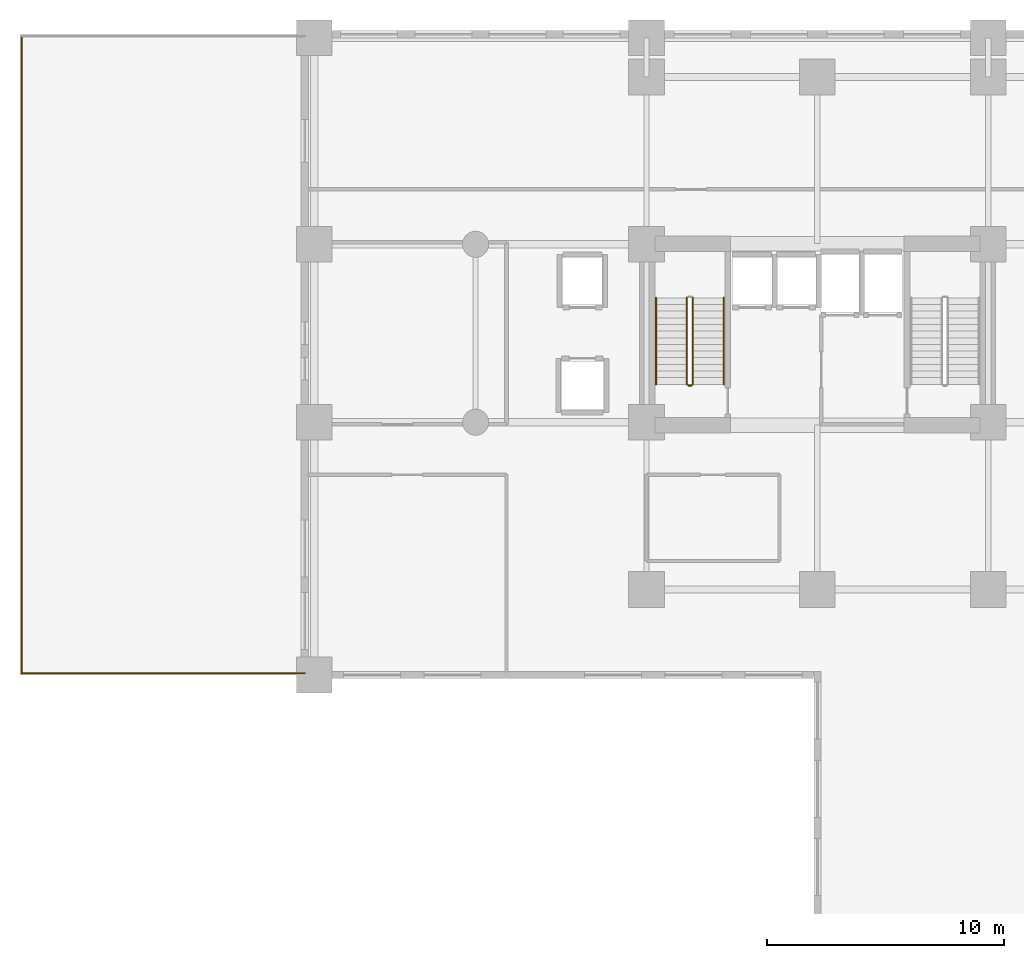
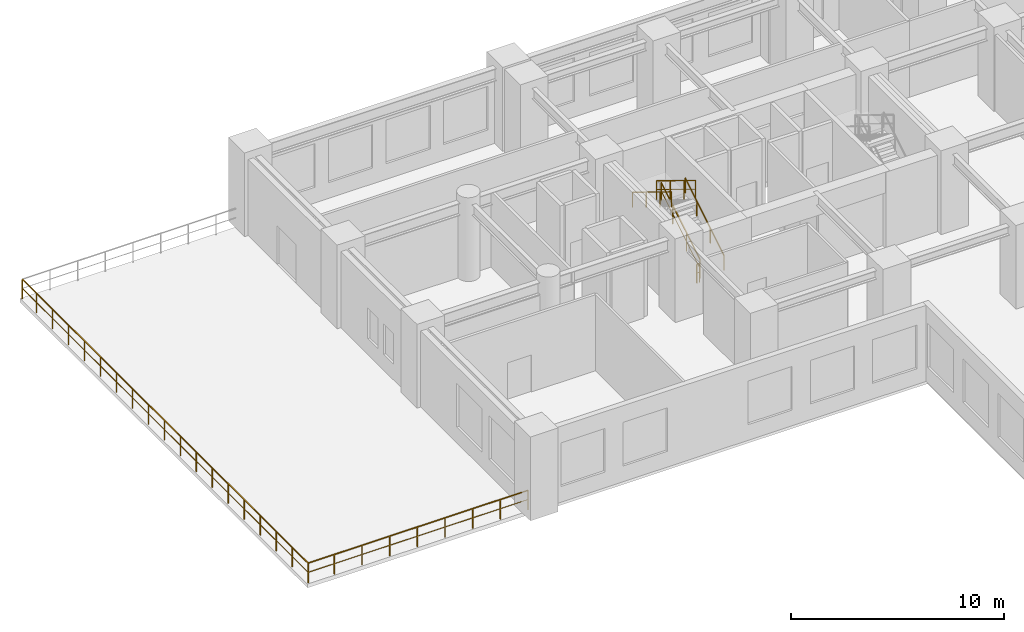
# One storey, part 7 of 10: 7 railings.
"""IFC4 building model written with IfcOpenShell, lengths in metres."""

import ifcopenshell
import ifcopenshell.guid

model = None  # the IFC model being written
_history = None  # IfcOwnerHistory: only IFC2X3 demands one
_inside = {}  # id of a spatial element -> (the spatial element, [elements in it])
_under = {}  # id of a project, library or spatial element -> (it, [spatial elements below it])
_declared = {}  # id of a project -> (the project, [libraries it declares])
_typed = {}  # id of a type object -> (the type object, [elements of that type])
_made_of = {}  # id of a material, layer set ... -> (it, [elements and type objects made of it])


def new_model(schema):
    """Start an empty IFC model of exactly this schema.

    Asked for "IFC4X3", IfcOpenShell would pick the latest addendum, in which some entities
    have other attributes; the version numbers below select the first issue.
    IFC2X3 requires an IfcOwnerHistory on every rooted entity: one is made here for all.
    """
    global model, _history
    if schema == "IFC4X3":
        model = ifcopenshell.file(schema_version=(4, 3, 0, 0))
    else:
        model = ifcopenshell.file(schema=schema)
    _inside.clear()
    _under.clear()
    _declared.clear()
    _typed.clear()
    _made_of.clear()
    _history = None
    if model.schema == "IFC2X3":
        org = make("IfcOrganization", Name="unknown")
        user = make(
            "IfcPersonAndOrganization",
            ThePerson=make("IfcPerson", FamilyName="unknown"),
            TheOrganization=org,
        )
        app = make(
            "IfcApplication",
            ApplicationDeveloper=org,
            Version="unknown",
            ApplicationFullName="unknown",
            ApplicationIdentifier="unknown",
        )
        _history = make(
            "IfcOwnerHistory",
            OwningUser=user,
            OwningApplication=app,
            ChangeAction="ADDED",
            CreationDate=0,
        )
    return model


def make(cls, **values):
    """One entity of the class cls with the attributes given. An attribute that is None is left unset."""
    return model.create_entity(
        cls, **{name: value for name, value in values.items() if value is not None}
    )


def rooted(cls, **values):
    """An entity with a GlobalId (a new one), such as an element, a storey or a relation."""
    return make(cls, GlobalId=ifcopenshell.guid.new(), OwnerHistory=_history, **values)


def si_unit(unit_type, name, prefix=None):
    """IfcSIUnit, for example si_unit("LENGTHUNIT", "METRE", prefix="MILLI")."""
    return make("IfcSIUnit", UnitType=unit_type, Prefix=prefix, Name=name)


def assignment(units):
    """IfcUnitAssignment: the units of a project."""
    return None if units is None else make("IfcUnitAssignment", Units=units)


def point(xyz):
    """IfcCartesianPoint."""
    return None if xyz is None else make("IfcCartesianPoint", Coordinates=xyz)


def direction(xyz):
    """IfcDirection."""
    return None if xyz is None else make("IfcDirection", DirectionRatios=xyz)


def frame(location, z_axis=None, x_axis=None):
    """IfcAxis2Placement3D, a coordinate frame: its origin and axes. An axis left out is left unset."""
    return make(
        "IfcAxis2Placement3D",
        Location=point(location),
        Axis=direction(z_axis),
        RefDirection=direction(x_axis),
    )


def frame_2d(location, x_axis=None):
    """IfcAxis2Placement2D, a coordinate frame in the plane: its origin and x axis."""
    return make(
        "IfcAxis2Placement2D", Location=point(location), RefDirection=direction(x_axis)
    )


def origin():
    """The frame at (0, 0, 0) with its axes left unset."""
    return frame((0.0, 0.0, 0.0))


def origin_2d():
    """The frame at (0, 0) in the plane with its x axis left unset."""
    return frame_2d((0.0, 0.0))


def place(relative_to, where):
    """IfcLocalPlacement: puts the frame where relative to a parent placement (None: the world)."""
    return make(
        "IfcLocalPlacement", PlacementRelTo=relative_to, RelativePlacement=where
    )


def context(
    kind, dimensions, precision=None, world=None, true_north=None, identifier=None
):
    """IfcGeometricRepresentationContext, for example the 3D "Model" context."""
    return make(
        "IfcGeometricRepresentationContext",
        ContextIdentifier=identifier,
        ContextType=kind,
        CoordinateSpaceDimension=dimensions,
        Precision=precision,
        WorldCoordinateSystem=world,
        TrueNorth=true_north,
    )


def subcontext(parent, identifier, kind, view, scale=None):
    """IfcGeometricRepresentationSubContext, for example "Body" below "Model"."""
    return make(
        "IfcGeometricRepresentationSubContext",
        ContextIdentifier=identifier,
        ContextType=kind,
        ParentContext=parent,
        TargetScale=scale,
        TargetView=view,
    )


def project(units=None, contexts=None):
    """IfcProject with its units and contexts."""
    return rooted(
        "IfcProject",
        Name="project",
        RepresentationContexts=contexts,
        UnitsInContext=assignment(units),
    )


def spatial(cls, under=None, at=None, **own):
    """A site, building, storey or space (cls), placed at a placement, below another one or the project."""
    s = rooted(cls, ObjectPlacement=at, **own)
    if under is not None:
        _under.setdefault(under.id(), (under, []))[1].append(s)
    return s


def profile(cls, at=None, kind="AREA", **sizes):
    """A parametric profile (cls). Its sizes go by their IFC names, for example OverallWidth=200.0."""
    return make(cls, ProfileType=kind, Position=at, **sizes)


def rectangle(**sizes):
    """IfcRectangleProfileDef."""
    return profile("IfcRectangleProfileDef", **sizes)


def extrude(swept, where, along, depth):
    """IfcExtrudedAreaSolid: the profile swept, set in the frame where, extruded along a direction by depth."""
    return make(
        "IfcExtrudedAreaSolid",
        SweptArea=swept,
        Position=where,
        ExtrudedDirection=direction(along),
        Depth=depth,
    )


def shape(context_of_items, identifier, shape_type, items):
    """IfcShapeRepresentation: the items that make up one representation, for example the "Body"."""
    return make(
        "IfcShapeRepresentation",
        ContextOfItems=context_of_items,
        RepresentationIdentifier=identifier,
        RepresentationType=shape_type,
        Items=items,
    )


def material(Name=None, Category=None):
    """IfcMaterial."""
    return make("IfcMaterial", Name=Name, Category=Category)


def made_of(thing, what):
    """Note that an element or type object is made of a material, layer set ...; save() writes the relation."""
    if what is not None:
        _made_of.setdefault(what.id(), (what, []))[1].append(thing)
    return thing


def type_object(cls, material=None, **own):
    """A type object (cls), such as IfcWallType, which elements share."""
    return made_of(rooted(cls, **own), material)


def element(
    cls,
    number,
    at=None,
    inside=None,
    cuts=None,
    type_object=None,
    material=None,
    context=None,
    identifier="Body",
    shape_type=None,
    held_by="IfcProductDefinitionShape",
    body=None,
    shapes=None,
    **own,
):
    """One element of the class cls, such as IfcWall. Its Tag is "e" and its number.

    at: its placement. inside: the storey or other place that contains it. cuts: it is an
    opening in that element (IfcRelVoidsElement). A single representation is given by context,
    identifier, shape_type and body (its items); several are given by shapes. held_by: the class
    of the entity that holds the representations. save() writes the other relations.
    """
    e = rooted(cls, Tag="e%d" % number, ObjectPlacement=at, **own)
    if body is not None:
        shapes = [shape(context, identifier, shape_type, body)]
    if shapes is not None:
        e.Representation = make(held_by, Representations=shapes)
    if inside is not None:
        _inside.setdefault(inside.id(), (inside, []))[1].append(e)
    if cuts is not None:
        rooted(
            "IfcRelVoidsElement", RelatingBuildingElement=cuts, RelatedOpeningElement=e
        )
    if type_object is not None:
        _typed.setdefault(type_object.id(), (type_object, []))[1].append(e)
    return made_of(e, material)


def aggregate(whole, parts):
    """IfcRelAggregates: a whole, such as a stair, and the parts it consists of."""
    return rooted("IfcRelAggregates", RelatingObject=whole, RelatedObjects=parts)


def save(model, path):
    """Write the relations noted so far, then the file.

    IfcRelAggregates (storeys below a building ...), IfcRelContainedInSpatialStructure (elements
    in a storey), IfcRelDefinesByType, IfcRelAssociatesMaterial and IfcRelDeclares: one each for
    every whole, place, type object, material and project.
    """
    for whole, parts in _under.values():
        aggregate(whole, parts)
    for where, things in _inside.values():
        rooted(
            "IfcRelContainedInSpatialStructure",
            RelatedElements=things,
            RelatingStructure=where,
        )
    for kind, things in _typed.values():
        rooted("IfcRelDefinesByType", RelatedObjects=things, RelatingType=kind)
    for what, things in _made_of.values():
        rooted("IfcRelAssociatesMaterial", RelatedObjects=things, RelatingMaterial=what)
    for by, libraries in _declared.values():
        rooted("IfcRelDeclares", RelatingContext=by, RelatedDefinitions=libraries)
    model.write(path)


model = new_model("IFC4")

# Units and contexts
model_context = context("Model", 3, precision=1e-05, world=origin(), true_north=direction((0.0, 1.0)))
body_context = subcontext(model_context, "Body", "Model", "MODEL_VIEW")
ifc_project = project(units=[si_unit("LENGTHUNIT", "METRE"), si_unit("AREAUNIT", "SQUARE_METRE"), si_unit("VOLUMEUNIT", "CUBIC_METRE"), si_unit("PLANEANGLEUNIT", "RADIAN"), si_unit("MASSUNIT", "GRAM", prefix="KILO")], contexts=[model_context])

# Site, building, storey
site_placement = place(None, origin())
site = spatial("IfcSite", under=ifc_project, at=site_placement, CompositionType="ELEMENT")
building_placement = place(site_placement, origin())
building = spatial("IfcBuilding", under=site, at=building_placement, Name="Kaliganga Portal Commons", CompositionType="ELEMENT")
storey_placement = place(building_placement, frame((0.0, 0.0, 15.0)))
storey = spatial("IfcBuildingStorey", under=building, at=storey_placement, Name="L03", CompositionType="ELEMENT", Elevation=15.0)

# Railings
ifc_material_1 = material(Name="Laminated Safety Glass and Stainless Steel 316", Category="steel")
railing_type_1 = type_object("IfcRailingType", Name="RLG-BAL-1150", PredefinedType="BALUSTRADE", material=ifc_material_1)
railing_1_placement = place(storey_placement, frame((0.0, 18.080078125, 0.0)))
element("IfcRailing", 1, at=railing_1_placement, inside=storey, type_object=railing_type_1, Name="Terrace Guardrail L03 west_podium_terrace-01-1", PredefinedType="BALUSTRADE", context=body_context, shape_type="SweptSolid", body=[
    extrude(rectangle(XDim=0.048095703125, YDim=0.048095703125, at=origin_2d()), frame((0.0, 0.0, 1.1259765625), z_axis=(-1.0, 0.0, 0.0), x_axis=(0.0, -1.0, 0.0)), (0.0, 0.0, 1.0), 11.919921875),
    extrude(rectangle(XDim=0.028076171875, YDim=0.028076171875, at=origin_2d()), frame((0.0, 0.0, 0.597900390625), z_axis=(-1.0, 0.0, 0.0), x_axis=(0.0, -1.0, 0.0)), (0.0, 0.0, 1.0), 11.919921875),
    extrude(rectangle(XDim=0.0419921875, YDim=0.0419921875, at=origin_2d()), origin(), (0.0, 0.0, 1.0), 1.101806640625),
    extrude(rectangle(XDim=0.0419921875, YDim=0.0419921875, at=origin_2d()), frame((-1.5, 0.0, 0.0)), (0.0, 0.0, 1.0), 1.101806640625),
    extrude(rectangle(XDim=0.0419921875, YDim=0.0419921875, at=origin_2d()), frame((-3.0, 0.0, 0.0)), (0.0, 0.0, 1.0), 1.101806640625),
    extrude(rectangle(XDim=0.0419921875, YDim=0.0419921875, at=origin_2d()), frame((-4.5, 0.0, 0.0)), (0.0, 0.0, 1.0), 1.101806640625),
    extrude(rectangle(XDim=0.0419921875, YDim=0.0419921875, at=origin_2d()), frame((-6.0, 0.0, 0.0)), (0.0, 0.0, 1.0), 1.101806640625),
    extrude(rectangle(XDim=0.0419921875, YDim=0.0419921875, at=origin_2d()), frame((-7.5, 0.0, 0.0)), (0.0, 0.0, 1.0), 1.101806640625),
    extrude(rectangle(XDim=0.0419921875, YDim=0.0419921875, at=origin_2d()), frame((-9.0, 0.0, 0.0)), (0.0, 0.0, 1.0), 1.101806640625),
    extrude(rectangle(XDim=0.0419921875, YDim=0.0419921875, at=origin_2d()), frame((-10.5, 0.0, 0.0)), (0.0, 0.0, 1.0), 1.101806640625),
    extrude(rectangle(XDim=0.0419921875, YDim=0.0419921875, at=origin_2d()), frame((-11.919921875, 0.0, 0.0)), (0.0, 0.0, 1.0), 1.101806640625),
])
railing_2_placement = place(storey_placement, frame((-11.919921875, 18.080078125, 0.0)))
element("IfcRailing", 2, at=railing_2_placement, inside=storey, type_object=railing_type_1, Name="Terrace Guardrail L03 west_podium_terrace-02-1", PredefinedType="BALUSTRADE", context=body_context, shape_type="SweptSolid", body=[
    extrude(rectangle(XDim=0.048095703125, YDim=0.048095703125, at=origin_2d()), frame((0.0, 0.0, 1.1259765625), z_axis=(0.0, 1.0, 0.0), x_axis=(-1.0, 0.0, 0.0)), (0.0, 0.0, 1.0), 26.83984375),
    extrude(rectangle(XDim=0.028076171875, YDim=0.028076171875, at=origin_2d()), frame((0.0, 0.0, 0.597900390625), z_axis=(0.0, 1.0, 0.0), x_axis=(-1.0, 0.0, 0.0)), (0.0, 0.0, 1.0), 26.83984375),
    extrude(rectangle(XDim=0.0419921875, YDim=0.0419921875, at=origin_2d()), origin(), (0.0, 0.0, 1.0), 1.101806640625),
    extrude(rectangle(XDim=0.0419921875, YDim=0.0419921875, at=origin_2d()), frame((0.0, 1.5, 0.0)), (0.0, 0.0, 1.0), 1.101806640625),
    extrude(rectangle(XDim=0.0419921875, YDim=0.0419921875, at=origin_2d()), frame((0.0, 3.0, 0.0)), (0.0, 0.0, 1.0), 1.101806640625),
    extrude(rectangle(XDim=0.0419921875, YDim=0.0419921875, at=origin_2d()), frame((0.0, 4.5, 0.0)), (0.0, 0.0, 1.0), 1.101806640625),
    extrude(rectangle(XDim=0.0419921875, YDim=0.0419921875, at=origin_2d()), frame((0.0, 6.0, 0.0)), (0.0, 0.0, 1.0), 1.101806640625),
    extrude(rectangle(XDim=0.0419921875, YDim=0.0419921875, at=origin_2d()), frame((0.0, 7.5, 0.0)), (0.0, 0.0, 1.0), 1.101806640625),
    extrude(rectangle(XDim=0.0419921875, YDim=0.0419921875, at=origin_2d()), frame((0.0, 9.0, 0.0)), (0.0, 0.0, 1.0), 1.101806640625),
    extrude(rectangle(XDim=0.0419921875, YDim=0.0419921875, at=origin_2d()), frame((0.0, 10.5, 0.0)), (0.0, 0.0, 1.0), 1.101806640625),
    extrude(rectangle(XDim=0.0419921875, YDim=0.0419921875, at=origin_2d()), frame((0.0, 12.0, 0.0)), (0.0, 0.0, 1.0), 1.101806640625),
    extrude(rectangle(XDim=0.0419921875, YDim=0.0419921875, at=origin_2d()), frame((0.0, 13.5, 0.0)), (0.0, 0.0, 1.0), 1.101806640625),
    extrude(rectangle(XDim=0.0419921875, YDim=0.0419921875, at=origin_2d()), frame((0.0, 15.0, 0.0)), (0.0, 0.0, 1.0), 1.101806640625),
    extrude(rectangle(XDim=0.0419921875, YDim=0.0419921875, at=origin_2d()), frame((0.0, 16.5, 0.0)), (0.0, 0.0, 1.0), 1.101806640625),
    extrude(rectangle(XDim=0.0419921875, YDim=0.0419921875, at=origin_2d()), frame((0.0, 18.0, 0.0)), (0.0, 0.0, 1.0), 1.101806640625),
    extrude(rectangle(XDim=0.0419921875, YDim=0.0419921875, at=origin_2d()), frame((0.0, 19.5, 0.0)), (0.0, 0.0, 1.0), 1.101806640625),
    extrude(rectangle(XDim=0.0419921875, YDim=0.0419921875, at=origin_2d()), frame((0.0, 21.0, 0.0)), (0.0, 0.0, 1.0), 1.101806640625),
    extrude(rectangle(XDim=0.0419921875, YDim=0.0419921875, at=origin_2d()), frame((0.0, 22.5, 0.0)), (0.0, 0.0, 1.0), 1.101806640625),
    extrude(rectangle(XDim=0.0419921875, YDim=0.0419921875, at=origin_2d()), frame((0.0, 24.0, 0.0)), (0.0, 0.0, 1.0), 1.101806640625),
    extrude(rectangle(XDim=0.0419921875, YDim=0.0419921875, at=origin_2d()), frame((0.0, 25.5, 0.0)), (0.0, 0.0, 1.0), 1.101806640625),
    extrude(rectangle(XDim=0.0419921875, YDim=0.0419921875, at=origin_2d()), frame((0.0, 26.83984375, 0.0)), (0.0, 0.0, 1.0), 1.101806640625),
])
ifc_material_2 = material(Name="Galvanized Painted Steel Balustrade", Category="steel")
railing_type_2 = type_object("IfcRailingType", Name="RLG-STAIR-GRD", PredefinedType="GUARDRAIL", material=ifc_material_2)
railing_3_placement = place(storey_placement, frame((16.35009765625, 30.25, 0.17138671875)))
element("IfcRailing", 3, at=railing_3_placement, inside=storey, type_object=railing_type_2, Name="L03 ST-A1 stair guard 1", PredefinedType="GUARDRAIL", context=body_context, shape_type="SweptSolid", body=[
    extrude(rectangle(XDim=0.048095703125, YDim=0.048095703125, at=origin_2d()), frame((0.0, 0.0, 1.072021484375), z_axis=(0.0, 0.852850264322, 0.5221555579), x_axis=(-1.0, 0.0, 0.0)), (0.0, 0.0, 1.0), 4.267822265625),
    extrude(rectangle(XDim=0.028076171875, YDim=0.028076171875, at=origin_2d()), frame((0.0, 0.0, 0.572021484375), z_axis=(0.0, 0.852850264322, 0.5221555579), x_axis=(-1.0, 0.0, 0.0)), (0.0, 0.0, 1.0), 4.267822265625),
    extrude(rectangle(XDim=0.0419921875, YDim=0.0419921875, at=origin_2d()), origin(), (0.0, 0.0, 1.0), 1.052001953125),
    extrude(rectangle(XDim=0.0419921875, YDim=0.0419921875, at=origin_2d()), frame((0.0, 1.279296875, 0.783203125)), (0.0, 0.0, 1.0), 1.052001953125),
    extrude(rectangle(XDim=0.0419921875, YDim=0.0419921875, at=origin_2d()), frame((0.0, 2.55859375, 1.56640625)), (0.0, 0.0, 1.0), 1.052001953125),
    extrude(rectangle(XDim=0.0419921875, YDim=0.0419921875, at=origin_2d()), frame((0.0, 3.639892578125, 2.228515625)), (0.0, 0.0, 1.0), 1.052001953125),
])
railing_4_placement = place(storey_placement, frame((16.10009765625, 33.889892578125, 2.571533203125)))
element("IfcRailing", 4, at=railing_4_placement, inside=storey, type_object=railing_type_2, Name="L03 ST-A1 stair guard 3", PredefinedType="GUARDRAIL", context=body_context, shape_type="SweptSolid", body=[
    extrude(rectangle(XDim=0.048095703125, YDim=0.048095703125, at=origin_2d()), frame((0.0, 0.0, 1.072021484375), z_axis=(0.0, -0.852850264322, 0.5221555579), x_axis=(1.0, 0.0, 0.0)), (0.0, 0.0, 1.0), 4.267822265625),
    extrude(rectangle(XDim=0.028076171875, YDim=0.028076171875, at=origin_2d()), frame((0.0, 0.0, 0.572021484375), z_axis=(0.0, -0.852850264322, 0.5221555579), x_axis=(1.0, 0.0, 0.0)), (0.0, 0.0, 1.0), 4.267822265625),
    extrude(rectangle(XDim=0.0419921875, YDim=0.0419921875, at=origin_2d()), origin(), (0.0, 0.0, 1.0), 1.052001953125),
    extrude(rectangle(XDim=0.0419921875, YDim=0.0419921875, at=origin_2d()), frame((0.0, -1.279296875, 0.783203125)), (0.0, 0.0, 1.0), 1.052001953125),
    extrude(rectangle(XDim=0.0419921875, YDim=0.0419921875, at=origin_2d()), frame((0.0, -2.55859375, 1.56640625)), (0.0, 0.0, 1.0), 1.052001953125),
    extrude(rectangle(XDim=0.0419921875, YDim=0.0419921875, at=origin_2d()), frame((0.0, -3.639892578125, 2.228515625)), (0.0, 0.0, 1.0), 1.052001953125),
])
railing_5_placement = place(storey_placement, frame((16.300048828125, 30.199951171875, 0.0)))
element("IfcRailing", 5, at=railing_5_placement, inside=storey, type_object=railing_type_2, Name="L03 ST-A1 stair guard 4", PredefinedType="GUARDRAIL", context=body_context, shape_type="SweptSolid", body=[
    extrude(rectangle(XDim=0.048095703125, YDim=0.048095703125, at=origin_2d()), frame((0.0, 0.0, 1.076171875), z_axis=(-1.0, 0.0, 0.0), x_axis=(0.0, -1.0, 0.0)), (0.0, 0.0, 1.0), 0.150146484375),
    extrude(rectangle(XDim=0.028076171875, YDim=0.028076171875, at=origin_2d()), frame((0.0, 0.0, 0.572021484375), z_axis=(-1.0, 0.0, 0.0), x_axis=(0.0, -1.0, 0.0)), (0.0, 0.0, 1.0), 0.150146484375),
    extrude(rectangle(XDim=0.0419921875, YDim=0.0419921875, at=origin_2d()), origin(), (0.0, 0.0, 1.0), 1.052001953125),
    extrude(rectangle(XDim=0.0419921875, YDim=0.0419921875, at=origin_2d()), frame((-0.150146484375, 0.0, 0.0)), (0.0, 0.0, 1.0), 1.052001953125),
])
ifc_material_3 = material(Name="Brushed Stainless Steel 316", Category="steel")
railing_type_3 = type_object("IfcRailingType", Name="RLG-STAIR-HR", PredefinedType="HANDRAIL", material=ifc_material_3)
railing_6_placement = place(storey_placement, frame((17.64990234375, 30.25, 0.17138671875)))
element("IfcRailing", 6, at=railing_6_placement, inside=storey, type_object=railing_type_3, Name="L03 ST-A1 stair handrail 1", PredefinedType="HANDRAIL", context=body_context, shape_type="SweptSolid", body=[
    extrude(rectangle(XDim=0.048095703125, YDim=0.048095703125, at=origin_2d()), frame((0.0, 0.0, 0.871826171875), z_axis=(0.0, 0.852850264322, 0.5221555579), x_axis=(-1.0, 0.0, 0.0)), (0.0, 0.0, 1.0), 4.267822265625),
    extrude(rectangle(XDim=0.0419921875, YDim=0.0419921875, at=origin_2d()), origin(), (0.0, 0.0, 1.0), 0.851806640625),
    extrude(rectangle(XDim=0.0419921875, YDim=0.0419921875, at=origin_2d()), frame((0.0, 1.279296875, 0.783203125)), (0.0, 0.0, 1.0), 0.851806640625),
    extrude(rectangle(XDim=0.0419921875, YDim=0.0419921875, at=origin_2d()), frame((0.0, 2.55859375, 1.56640625)), (0.0, 0.0, 1.0), 0.851806640625),
    extrude(rectangle(XDim=0.0419921875, YDim=0.0419921875, at=origin_2d()), frame((0.0, 3.639892578125, 2.228515625)), (0.0, 0.0, 1.0), 0.851806640625),
])
railing_7_placement = place(storey_placement, frame((14.800048828125, 33.889892578125, 2.571533203125)))
element("IfcRailing", 7, at=railing_7_placement, inside=storey, type_object=railing_type_3, Name="L03 ST-A1 stair handrail 2", PredefinedType="HANDRAIL", context=body_context, shape_type="SweptSolid", body=[
    extrude(rectangle(XDim=0.048095703125, YDim=0.048095703125, at=origin_2d()), frame((0.0, 0.0, 0.871826171875), z_axis=(0.0, -0.852850264322, 0.5221555579), x_axis=(1.0, 0.0, 0.0)), (0.0, 0.0, 1.0), 4.267822265625),
    extrude(rectangle(XDim=0.0419921875, YDim=0.0419921875, at=origin_2d()), origin(), (0.0, 0.0, 1.0), 0.851806640625),
    extrude(rectangle(XDim=0.0419921875, YDim=0.0419921875, at=origin_2d()), frame((0.0, -1.279296875, 0.783203125)), (0.0, 0.0, 1.0), 0.851806640625),
    extrude(rectangle(XDim=0.0419921875, YDim=0.0419921875, at=origin_2d()), frame((0.0, -2.55859375, 1.56640625)), (0.0, 0.0, 1.0), 0.851806640625),
    extrude(rectangle(XDim=0.0419921875, YDim=0.0419921875, at=origin_2d()), frame((0.0, -3.639892578125, 2.228515625)), (0.0, 0.0, 1.0), 0.851806640625),
])

save(model, "model.ifc")
